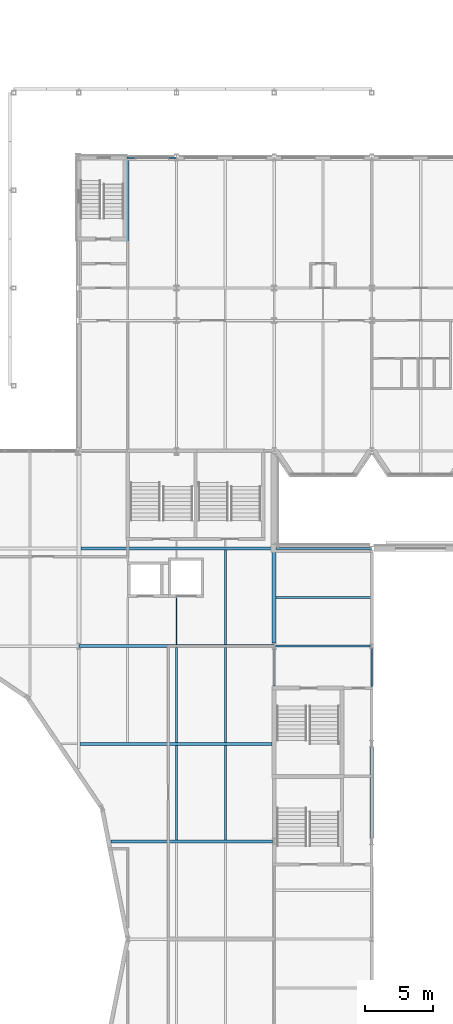
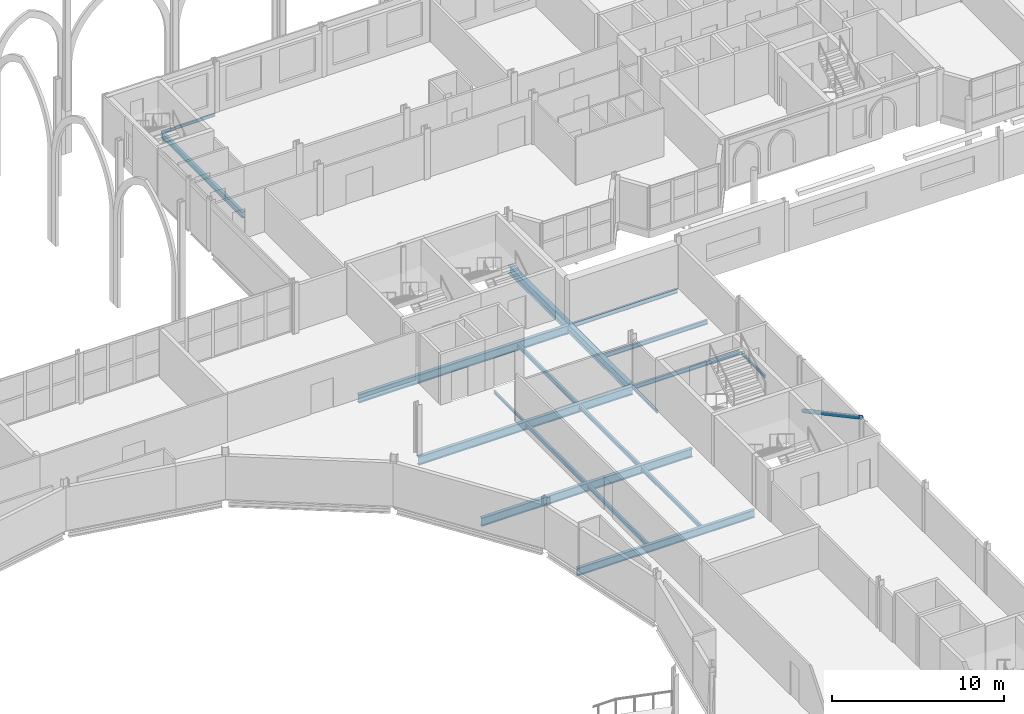
# One storey, part 45 of 124: 18 beams, 1 member.
"""IFC4 building model written with IfcOpenShell, lengths in metres."""

from ifc_helpers import new_model, si_unit, direction, frame, origin, origin_2d, place, context, subcontext, project, spatial, hollow_circle, i_section, extrude, material, material_profile, profile_set, type_object, element, save


model = new_model("IFC4")

# Units and contexts
model_context = context("Model", 3, precision=1e-05, world=origin(), true_north=direction((0.0, 1.0)))
body_context = subcontext(model_context, "Body", "Model", "MODEL_VIEW")
ifc_project = project(units=[si_unit("LENGTHUNIT", "METRE"), si_unit("AREAUNIT", "SQUARE_METRE"), si_unit("VOLUMEUNIT", "CUBIC_METRE"), si_unit("PLANEANGLEUNIT", "RADIAN"), si_unit("MASSUNIT", "GRAM", prefix="KILO")], contexts=[model_context])

# Site, building, storey
site_placement = place(None, origin())
site = spatial("IfcSite", under=ifc_project, at=site_placement, CompositionType="ELEMENT")
building_placement = place(site_placement, origin())
building = spatial("IfcBuilding", under=site, at=building_placement, Name="Kupolbacken Congress Centre", CompositionType="ELEMENT")
storey_placement = place(building_placement, frame((0.0, 0.0, 10.800048828125)))
storey = spatial("IfcBuildingStorey", under=building, at=storey_placement, Name="L03", CompositionType="ELEMENT", Elevation=10.800048828125)

# Beams
ifc_material_1 = material(Name="Steel S355", Category="steel")
ifc_material_profile_1 = material_profile(ifc_material_1, i_section(OverallWidth=0.10009765625, OverallDepth=0.199951171875, WebThickness=0.005615234375, FlangeThickness=0.008544921875, FilletRadius=0.011962890625, at=origin_2d()), Name="IPE 200")
ifc_profile_set_1 = profile_set([ifc_material_profile_1], Name="Steel S355")
beam_type_1 = type_object("IfcBeamType", Name="B01 beam IPE 200", PredefinedType="BEAM", material=ifc_profile_set_1)
beam_1_placement = place(storey_placement, frame((79.199951171875, 105.050048828125, -0.280029296875), z_axis=(0.0, 1.0, 0.0), x_axis=(-1.0, 0.0, 0.0)))
element("IfcBeam", 1, at=beam_1_placement, inside=storey, type_object=beam_type_1, Name="S/floor/P/L03/G036", PredefinedType="BEAM", context=body_context, shape_type="SweptSolid", body=[
    extrude(i_section(OverallWidth=0.10009765625, OverallDepth=0.199951171875, WebThickness=0.005615234375, FlangeThickness=0.008544921875, FilletRadius=0.011962890625, at=origin_2d()), origin(), (0.0, 0.0, 1.0), 2.724853515625),
])
beam_2_placement = place(storey_placement, frame((72.0, 108.110107421875, -0.280029296875), z_axis=(0.0, 1.0, 0.0), x_axis=(-1.0, 0.0, 0.0)))
element("IfcBeam", 2, at=beam_2_placement, inside=storey, type_object=beam_type_1, Name="S/floor/P/L03/S148", PredefinedType="BEAM", context=body_context, shape_type="SweptSolid", body=[
    extrude(i_section(OverallWidth=0.10009765625, OverallDepth=0.199951171875, WebThickness=0.005615234375, FlangeThickness=0.008544921875, FilletRadius=0.011962890625, at=origin_2d()), origin(), (0.0, 0.0, 1.0), 3.489990234375),
])
beam_3_placement = place(storey_placement, frame((86.39990234375, 105.0, -0.280029296875), z_axis=(0.0, 1.0, 0.0), x_axis=(-1.0, 0.0, 0.0)))
element("IfcBeam", 3, at=beam_3_placement, inside=storey, type_object=beam_type_1, Name="S/floor/LINK/L03/E008", PredefinedType="BEAM", context=body_context, shape_type="SweptSolid", body=[
    extrude(i_section(OverallWidth=0.10009765625, OverallDepth=0.199951171875, WebThickness=0.005615234375, FlangeThickness=0.008544921875, FilletRadius=0.011962890625, at=origin_2d()), origin(), (0.0, 0.0, 1.0), 2.85498046875),
])
beam_4_placement = place(storey_placement, frame((68.35009765625, 144.0, -0.280029296875), z_axis=(1.0, 0.0, 0.0), x_axis=(0.0, 1.0, 0.0)))
element("IfcBeam", 4, at=beam_4_placement, inside=storey, type_object=beam_type_1, Name="S/floor/T/L03/R023", PredefinedType="BEAM", context=body_context, shape_type="SweptSolid", body=[
    extrude(i_section(OverallWidth=0.10009765625, OverallDepth=0.199951171875, WebThickness=0.005615234375, FlangeThickness=0.008544921875, FilletRadius=0.011962890625, at=origin_2d()), origin(), (0.0, 0.0, 1.0), 3.639404296875),
])
ifc_material_2 = material(Name="Steel S355", Category="steel")
ifc_material_profile_2 = material_profile(ifc_material_2, i_section(OverallWidth=0.14990234375, OverallDepth=0.300048828125, WebThickness=0.007080078125, FlangeThickness=0.0107421875, FilletRadius=0.014892578125, at=origin_2d()), Name="IPE 300")
ifc_profile_set_2 = profile_set([ifc_material_profile_2], Name="Steel S355")
beam_type_2 = type_object("IfcBeamType", Name="B04 beam IPE 300", PredefinedType="BEAM", material=ifc_profile_set_2)
beam_5_placement = place(storey_placement, frame((72.0, 93.705078125, -0.330078125), z_axis=(0.0, 1.0, 0.0), x_axis=(-1.0, 0.0, 0.0)))
element("IfcBeam", 5, at=beam_5_placement, inside=storey, type_object=beam_type_2, Name="S/floor/P/L03/S146", PredefinedType="BEAM", context=body_context, shape_type="SweptSolid", body=[
    extrude(i_section(OverallWidth=0.14990234375, OverallDepth=0.300048828125, WebThickness=0.007080078125, FlangeThickness=0.0107421875, FilletRadius=0.014892578125, at=origin_2d()), origin(), (0.0, 0.0, 1.0), 6.98486328125),
])
beam_6_placement = place(storey_placement, frame((72.0, 100.909912109375, -0.330078125), z_axis=(0.0, 1.0, 0.0), x_axis=(-1.0, 0.0, 0.0)))
element("IfcBeam", 6, at=beam_6_placement, inside=storey, type_object=beam_type_2, Name="S/floor/P/L03/S147", PredefinedType="BEAM", context=body_context, shape_type="SweptSolid", body=[
    extrude(i_section(OverallWidth=0.14990234375, OverallDepth=0.300048828125, WebThickness=0.007080078125, FlangeThickness=0.0107421875, FilletRadius=0.014892578125, at=origin_2d()), origin(), (0.0, 0.0, 1.0), 6.97998046875),
])
beam_7_placement = place(storey_placement, frame((75.60009765625, 93.705078125, -0.330078125), z_axis=(0.0, 1.0, 0.0), x_axis=(-1.0, 0.0, 0.0)))
element("IfcBeam", 7, at=beam_7_placement, inside=storey, type_object=beam_type_2, Name="S/floor/P/L03/S157", PredefinedType="BEAM", context=body_context, shape_type="SweptSolid", body=[
    extrude(i_section(OverallWidth=0.14990234375, OverallDepth=0.300048828125, WebThickness=0.007080078125, FlangeThickness=0.0107421875, FilletRadius=0.014892578125, at=origin_2d()), origin(), (0.0, 0.0, 1.0), 6.98486328125),
])
for number, where, z_axis, x_axis, name in (
    (8, (75.60009765625, 100.909912109375, -0.330078125), (0.0, 1.0, 0.0), (-1.0, 0.0, 0.0), "S/floor/P/L03/S158"),
    (9, (75.60009765625, 108.110107421875, -0.330078125), (0.0, 1.0, 0.0), (-1.0, 0.0, 0.0), "S/floor/P/L03/S159"),
):
    element("IfcBeam", number, at=place(storey_placement, frame(where, z_axis=z_axis, x_axis=x_axis)), inside=storey, type_object=beam_type_2, Name=name, PredefinedType="BEAM", context=body_context, shape_type="SweptSolid", body=[
        extrude(i_section(OverallWidth=0.14990234375, OverallDepth=0.300048828125, WebThickness=0.007080078125, FlangeThickness=0.0107421875, FilletRadius=0.014892578125, at=origin_2d()), origin(), (0.0, 0.0, 1.0), 6.97998046875),
    ])
beam_8_placement = place(storey_placement, frame((79.20703125, 108.0, -0.330078125), z_axis=(1.0, 0.0, 0.0), x_axis=(0.0, 1.0, 0.0)))
element("IfcBeam", 10, at=beam_8_placement, inside=storey, type_object=beam_type_2, Name="S/floor/LINK/L03/R020", PredefinedType="BEAM", context=body_context, shape_type="SweptSolid", body=[
    extrude(i_section(OverallWidth=0.14990234375, OverallDepth=0.300048828125, WebThickness=0.007080078125, FlangeThickness=0.0107421875, FilletRadius=0.014892578125, at=origin_2d()), origin(), (0.0, 0.0, 1.0), 7.188720703125),
])
beam_9_placement = place(storey_placement, frame((79.35009765625, 111.60009765625, -0.330078125), z_axis=(1.0, 0.0, 0.0), x_axis=(0.0, 1.0, 0.0)))
element("IfcBeam", 11, at=beam_9_placement, inside=storey, type_object=beam_type_2, Name="S/floor/LINK/L03/R021", PredefinedType="BEAM", context=body_context, shape_type="SweptSolid", body=[
    extrude(i_section(OverallWidth=0.14990234375, OverallDepth=0.300048828125, WebThickness=0.007080078125, FlangeThickness=0.0107421875, FilletRadius=0.014892578125, at=origin_2d()), origin(), (0.0, 0.0, 1.0), 6.974853515625),
])
beam_10_placement = place(storey_placement, frame((79.35009765625, 115.199951171875, -0.330078125), z_axis=(1.0, 0.0, 0.0), x_axis=(0.0, 1.0, 0.0)))
element("IfcBeam", 12, at=beam_10_placement, inside=storey, type_object=beam_type_2, Name="S/floor/LINK/L03/R022", PredefinedType="BEAM", context=body_context, shape_type="SweptSolid", body=[
    extrude(i_section(OverallWidth=0.14990234375, OverallDepth=0.300048828125, WebThickness=0.007080078125, FlangeThickness=0.0107421875, FilletRadius=0.014892578125, at=origin_2d()), origin(), (0.0, 0.0, 1.0), 7.045654296875),
])
ifc_material_3 = material(Name="Steel S355", Category="steel")
ifc_material_profile_3 = material_profile(ifc_material_3, i_section(OverallWidth=0.179931640625, OverallDepth=0.39990234375, WebThickness=0.008544921875, FlangeThickness=0.013427734375, FilletRadius=0.02099609375, at=origin_2d()), Name="IPE 400")
ifc_profile_set_3 = profile_set([ifc_material_profile_3], Name="Steel S355")
beam_type_3 = type_object("IfcBeamType", Name="B07 beam IPE 400", PredefinedType="BEAM", material=ifc_profile_set_3)
beam_11_placement = place(storey_placement, frame((68.39990234375, 134.47509765625, -0.380126953125), z_axis=(0.0, 1.0, 0.0), x_axis=(-1.0, 0.0, 0.0)))
element("IfcBeam", 13, at=beam_11_placement, inside=storey, type_object=beam_type_3, Name="S/floor/T/L03/S036", PredefinedType="BEAM", context=body_context, shape_type="SweptSolid", body=[
    extrude(i_section(OverallWidth=0.179931640625, OverallDepth=0.39990234375, WebThickness=0.008544921875, FlangeThickness=0.013427734375, FilletRadius=0.02099609375, at=origin_2d()), origin(), (0.0, 0.0, 1.0), 9.474853515625),
])
ifc_material_4 = material(Name="Steel S355", Category="steel")
ifc_material_profile_4 = material_profile(ifc_material_4, i_section(OverallWidth=0.2099609375, OverallDepth=0.550048828125, WebThickness=0.010986328125, FlangeThickness=0.01708984375, FilletRadius=0.02392578125, at=origin_2d()), Name="IPE 550")
ifc_profile_set_4 = profile_set([ifc_material_profile_4], Name="Steel S355")
beam_type_4 = type_object("IfcBeamType", Name="B10 beam IPE 550", PredefinedType="BEAM", material=ifc_profile_set_4)
beam_12_placement = place(storey_placement, frame((67.156005859375, 93.60009765625, -0.455078125), z_axis=(1.0, 0.0, 0.0), x_axis=(0.0, 1.0, 0.0)))
element("IfcBeam", 14, at=beam_12_placement, inside=storey, type_object=beam_type_4, Name="S/floor/P/L03/R056", PredefinedType="BEAM", context=body_context, shape_type="SweptSolid", body=[
    extrude(i_section(OverallWidth=0.2099609375, OverallDepth=0.550048828125, WebThickness=0.010986328125, FlangeThickness=0.01708984375, FilletRadius=0.02392578125, at=origin_2d()), origin(), (0.0, 0.0, 1.0), 11.9189453125),
])
ifc_material_5 = material(Name="Steel S355", Category="steel")
ifc_material_profile_5 = material_profile(ifc_material_5, i_section(OverallWidth=0.219970703125, OverallDepth=0.60009765625, WebThickness=0.011962890625, FlangeThickness=0.01904296875, FilletRadius=0.02392578125, at=origin_2d()), Name="IPE 600")
ifc_profile_set_5 = profile_set([ifc_material_profile_5], Name="Steel S355")
beam_type_5 = type_object("IfcBeamType", Name="B11 beam IPE 600", PredefinedType="BEAM", material=ifc_profile_set_5)
beam_13_placement = place(storey_placement, frame((64.889892578125, 100.800048828125, -0.47998046875), z_axis=(1.0, 0.0, 0.0), x_axis=(0.0, 1.0, 0.0)))
element("IfcBeam", 15, at=beam_13_placement, inside=storey, type_object=beam_type_5, Name="S/floor/P/L03/R060", PredefinedType="BEAM", context=body_context, shape_type="SweptSolid", body=[
    extrude(i_section(OverallWidth=0.219970703125, OverallDepth=0.60009765625, WebThickness=0.011962890625, FlangeThickness=0.01904296875, FilletRadius=0.02392578125, at=origin_2d()), origin(), (0.0, 0.0, 1.0), 14.16015625),
])
beam_14_placement = place(storey_placement, frame((64.806884765625, 108.0, -0.47998046875), z_axis=(1.0, 0.0, 0.0), x_axis=(0.0, 1.0, 0.0)))
element("IfcBeam", 16, at=beam_14_placement, inside=storey, type_object=beam_type_5, Name="S/floor/P/L03/R064", PredefinedType="BEAM", context=body_context, shape_type="SweptSolid", body=[
    extrude(i_section(OverallWidth=0.219970703125, OverallDepth=0.60009765625, WebThickness=0.011962890625, FlangeThickness=0.01904296875, FilletRadius=0.02392578125, at=origin_2d()), origin(), (0.0, 0.0, 1.0), 14.38623046875),
])
beam_15_placement = place(storey_placement, frame((64.949951171875, 115.199951171875, -0.47998046875), z_axis=(1.0, 0.0, 0.0), x_axis=(0.0, 1.0, 0.0)))
element("IfcBeam", 17, at=beam_15_placement, inside=storey, type_object=beam_type_5, Name="S/floor/P/L03/R069", PredefinedType="BEAM", context=body_context, shape_type="SweptSolid", body=[
    extrude(i_section(OverallWidth=0.219970703125, OverallDepth=0.60009765625, WebThickness=0.011962890625, FlangeThickness=0.01904296875, FilletRadius=0.02392578125, at=origin_2d()), origin(), (0.0, 0.0, 1.0), 14.10009765625),
])
ifc_material_6 = material(Name="Steel S355", Category="steel")
ifc_material_profile_6 = material_profile(ifc_material_6, i_section(OverallWidth=0.300048828125, OverallDepth=0.60009765625, WebThickness=0.015380859375, FlangeThickness=0.030029296875, FilletRadius=0.027099609375, at=origin_2d()), Name="HEB 600")
ifc_profile_set_6 = profile_set([ifc_material_profile_6], Name="Steel S355")
beam_type_6 = type_object("IfcBeamType", Name="B15 beam HEB 600", PredefinedType="BEAM", material=ifc_profile_set_6)
beam_16_placement = place(storey_placement, frame((79.199951171875, 108.22509765625, -0.47998046875), z_axis=(0.0, 1.0, 0.0), x_axis=(-1.0, 0.0, 0.0)))
element("IfcBeam", 18, at=beam_16_placement, inside=storey, type_object=beam_type_6, Name="S/floor/P/L03/G037", PredefinedType="BEAM", context=body_context, shape_type="SweptSolid", body=[
    extrude(i_section(OverallWidth=0.300048828125, OverallDepth=0.60009765625, WebThickness=0.015380859375, FlangeThickness=0.030029296875, FilletRadius=0.027099609375, at=origin_2d()), origin(), (0.0, 0.0, 1.0), 13.958984375),
])

# Member
ifc_material_7 = material(Name="Steel S355", Category="steel")
ifc_material_profile_7 = material_profile(ifc_material_7, hollow_circle(Radius=0.136474609375, WallThickness=0.012451171875, at=origin_2d()), Name="CHS 273 x 12.5")
ifc_profile_set_7 = profile_set([ifc_material_profile_7], Name="Steel S355")
member_type = type_object("IfcMemberType", Name="M08 brace CHS 273 x 12.5", PredefinedType="BRACE", material=ifc_profile_set_7)
member_placement = place(storey_placement, frame((86.39990234375, 100.554931640625, 0.0), z_axis=(0.0, -0.881193823646, 0.472755164083), x_axis=(1.0, 0.0, 0.0)))
element("IfcMember", 19, at=member_placement, inside=storey, type_object=member_type, Name="S/brace/W/08/04", PredefinedType="BRACE", context=body_context, shape_type="SweptSolid", body=[
    extrude(hollow_circle(Radius=0.136474609375, WallThickness=0.012451171875, at=origin_2d()), origin(), (0.0, 0.0, 1.0), 7.61474609375),
])

save(model, "model.ifc")
